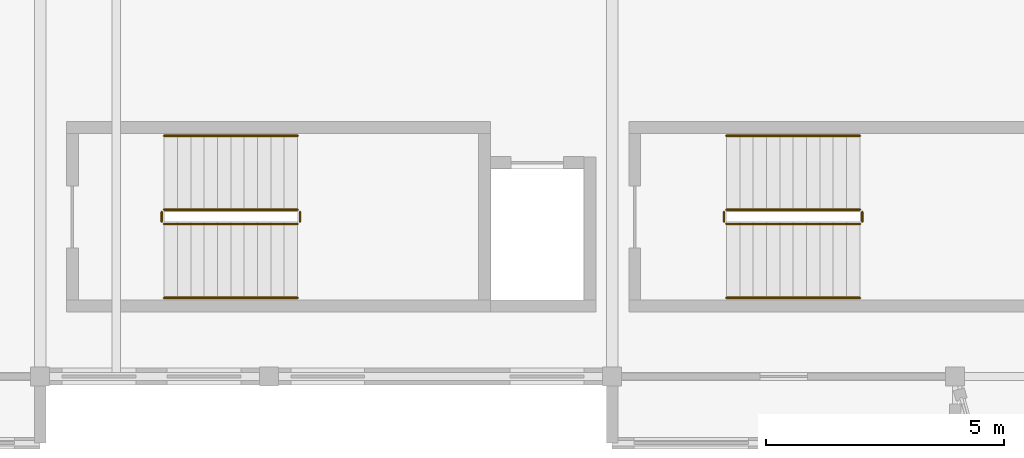
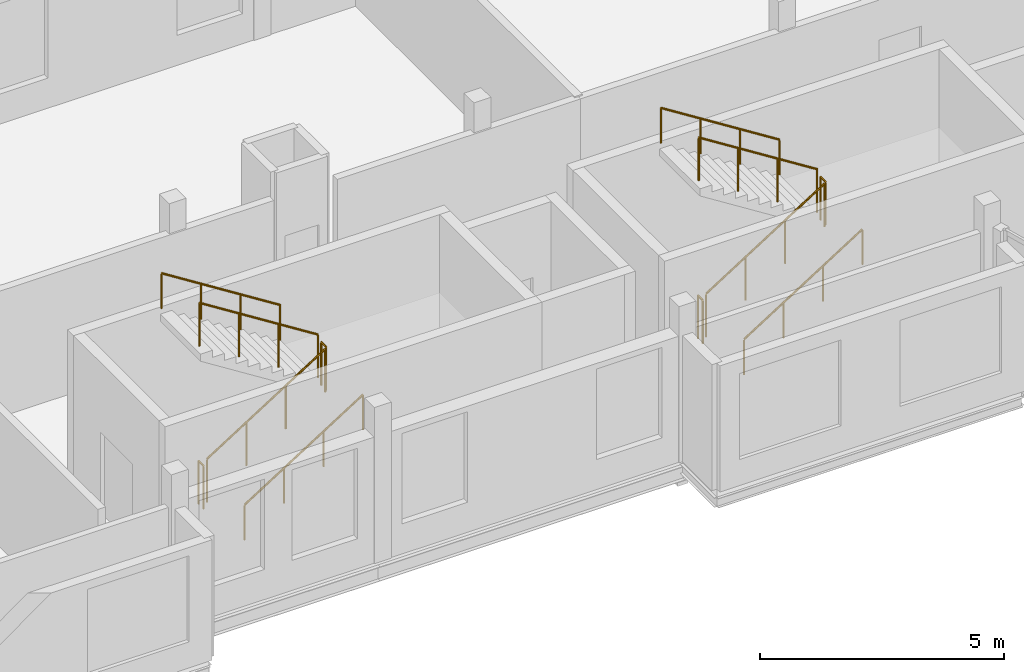
# One storey, part 55 of 57: 12 railings.
"""IFC4 building model written with IfcOpenShell, lengths in metres."""

import ifcopenshell
import ifcopenshell.guid

model = None  # the IFC model being written
_history = None  # IfcOwnerHistory: only IFC2X3 demands one
_inside = {}  # id of a spatial element -> (the spatial element, [elements in it])
_under = {}  # id of a project, library or spatial element -> (it, [spatial elements below it])
_declared = {}  # id of a project -> (the project, [libraries it declares])
_typed = {}  # id of a type object -> (the type object, [elements of that type])
_made_of = {}  # id of a material, layer set ... -> (it, [elements and type objects made of it])


def new_model(schema):
    """Start an empty IFC model of exactly this schema.

    Asked for "IFC4X3", IfcOpenShell would pick the latest addendum, in which some entities
    have other attributes; the version numbers below select the first issue.
    IFC2X3 requires an IfcOwnerHistory on every rooted entity: one is made here for all.
    """
    global model, _history
    if schema == "IFC4X3":
        model = ifcopenshell.file(schema_version=(4, 3, 0, 0))
    else:
        model = ifcopenshell.file(schema=schema)
    _inside.clear()
    _under.clear()
    _declared.clear()
    _typed.clear()
    _made_of.clear()
    _history = None
    if model.schema == "IFC2X3":
        org = make("IfcOrganization", Name="unknown")
        user = make(
            "IfcPersonAndOrganization",
            ThePerson=make("IfcPerson", FamilyName="unknown"),
            TheOrganization=org,
        )
        app = make(
            "IfcApplication",
            ApplicationDeveloper=org,
            Version="unknown",
            ApplicationFullName="unknown",
            ApplicationIdentifier="unknown",
        )
        _history = make(
            "IfcOwnerHistory",
            OwningUser=user,
            OwningApplication=app,
            ChangeAction="ADDED",
            CreationDate=0,
        )
    return model


def make(cls, **values):
    """One entity of the class cls with the attributes given. An attribute that is None is left unset."""
    return model.create_entity(
        cls, **{name: value for name, value in values.items() if value is not None}
    )


def rooted(cls, **values):
    """An entity with a GlobalId (a new one), such as an element, a storey or a relation."""
    return make(cls, GlobalId=ifcopenshell.guid.new(), OwnerHistory=_history, **values)


def si_unit(unit_type, name, prefix=None):
    """IfcSIUnit, for example si_unit("LENGTHUNIT", "METRE", prefix="MILLI")."""
    return make("IfcSIUnit", UnitType=unit_type, Prefix=prefix, Name=name)


def assignment(units):
    """IfcUnitAssignment: the units of a project."""
    return None if units is None else make("IfcUnitAssignment", Units=units)


def point(xyz):
    """IfcCartesianPoint."""
    return None if xyz is None else make("IfcCartesianPoint", Coordinates=xyz)


def direction(xyz):
    """IfcDirection."""
    return None if xyz is None else make("IfcDirection", DirectionRatios=xyz)


def frame(location, z_axis=None, x_axis=None):
    """IfcAxis2Placement3D, a coordinate frame: its origin and axes. An axis left out is left unset."""
    return make(
        "IfcAxis2Placement3D",
        Location=point(location),
        Axis=direction(z_axis),
        RefDirection=direction(x_axis),
    )


def frame_2d(location, x_axis=None):
    """IfcAxis2Placement2D, a coordinate frame in the plane: its origin and x axis."""
    return make(
        "IfcAxis2Placement2D", Location=point(location), RefDirection=direction(x_axis)
    )


def origin():
    """The frame at (0, 0, 0) with its axes left unset."""
    return frame((0.0, 0.0, 0.0))


def origin_2d():
    """The frame at (0, 0) in the plane with its x axis left unset."""
    return frame_2d((0.0, 0.0))


def place(relative_to, where):
    """IfcLocalPlacement: puts the frame where relative to a parent placement (None: the world)."""
    return make(
        "IfcLocalPlacement", PlacementRelTo=relative_to, RelativePlacement=where
    )


def context(
    kind, dimensions, precision=None, world=None, true_north=None, identifier=None
):
    """IfcGeometricRepresentationContext, for example the 3D "Model" context."""
    return make(
        "IfcGeometricRepresentationContext",
        ContextIdentifier=identifier,
        ContextType=kind,
        CoordinateSpaceDimension=dimensions,
        Precision=precision,
        WorldCoordinateSystem=world,
        TrueNorth=true_north,
    )


def subcontext(parent, identifier, kind, view, scale=None):
    """IfcGeometricRepresentationSubContext, for example "Body" below "Model"."""
    return make(
        "IfcGeometricRepresentationSubContext",
        ContextIdentifier=identifier,
        ContextType=kind,
        ParentContext=parent,
        TargetScale=scale,
        TargetView=view,
    )


def project(units=None, contexts=None):
    """IfcProject with its units and contexts."""
    return rooted(
        "IfcProject",
        Name="project",
        RepresentationContexts=contexts,
        UnitsInContext=assignment(units),
    )


def spatial(cls, under=None, at=None, **own):
    """A site, building, storey or space (cls), placed at a placement, below another one or the project."""
    s = rooted(cls, ObjectPlacement=at, **own)
    if under is not None:
        _under.setdefault(under.id(), (under, []))[1].append(s)
    return s


def profile(cls, at=None, kind="AREA", **sizes):
    """A parametric profile (cls). Its sizes go by their IFC names, for example OverallWidth=200.0."""
    return make(cls, ProfileType=kind, Position=at, **sizes)


def circle(**sizes):
    """IfcCircleProfileDef."""
    return profile("IfcCircleProfileDef", **sizes)


def extrude(swept, where, along, depth):
    """IfcExtrudedAreaSolid: the profile swept, set in the frame where, extruded along a direction by depth."""
    return make(
        "IfcExtrudedAreaSolid",
        SweptArea=swept,
        Position=where,
        ExtrudedDirection=direction(along),
        Depth=depth,
    )


def shape(context_of_items, identifier, shape_type, items):
    """IfcShapeRepresentation: the items that make up one representation, for example the "Body"."""
    return make(
        "IfcShapeRepresentation",
        ContextOfItems=context_of_items,
        RepresentationIdentifier=identifier,
        RepresentationType=shape_type,
        Items=items,
    )


def material(Name=None, Category=None):
    """IfcMaterial."""
    return make("IfcMaterial", Name=Name, Category=Category)


def made_of(thing, what):
    """Note that an element or type object is made of a material, layer set ...; save() writes the relation."""
    if what is not None:
        _made_of.setdefault(what.id(), (what, []))[1].append(thing)
    return thing


def type_object(cls, material=None, **own):
    """A type object (cls), such as IfcWallType, which elements share."""
    return made_of(rooted(cls, **own), material)


def element(
    cls,
    number,
    at=None,
    inside=None,
    cuts=None,
    type_object=None,
    material=None,
    context=None,
    identifier="Body",
    shape_type=None,
    held_by="IfcProductDefinitionShape",
    body=None,
    shapes=None,
    **own,
):
    """One element of the class cls, such as IfcWall. Its Tag is "e" and its number.

    at: its placement. inside: the storey or other place that contains it. cuts: it is an
    opening in that element (IfcRelVoidsElement). A single representation is given by context,
    identifier, shape_type and body (its items); several are given by shapes. held_by: the class
    of the entity that holds the representations. save() writes the other relations.
    """
    e = rooted(cls, Tag="e%d" % number, ObjectPlacement=at, **own)
    if body is not None:
        shapes = [shape(context, identifier, shape_type, body)]
    if shapes is not None:
        e.Representation = make(held_by, Representations=shapes)
    if inside is not None:
        _inside.setdefault(inside.id(), (inside, []))[1].append(e)
    if cuts is not None:
        rooted(
            "IfcRelVoidsElement", RelatingBuildingElement=cuts, RelatedOpeningElement=e
        )
    if type_object is not None:
        _typed.setdefault(type_object.id(), (type_object, []))[1].append(e)
    return made_of(e, material)


def aggregate(whole, parts):
    """IfcRelAggregates: a whole, such as a stair, and the parts it consists of."""
    return rooted("IfcRelAggregates", RelatingObject=whole, RelatedObjects=parts)


def save(model, path):
    """Write the relations noted so far, then the file.

    IfcRelAggregates (storeys below a building ...), IfcRelContainedInSpatialStructure (elements
    in a storey), IfcRelDefinesByType, IfcRelAssociatesMaterial and IfcRelDeclares: one each for
    every whole, place, type object, material and project.
    """
    for whole, parts in _under.values():
        aggregate(whole, parts)
    for where, things in _inside.values():
        rooted(
            "IfcRelContainedInSpatialStructure",
            RelatedElements=things,
            RelatingStructure=where,
        )
    for kind, things in _typed.values():
        rooted("IfcRelDefinesByType", RelatedObjects=things, RelatingType=kind)
    for what, things in _made_of.values():
        rooted("IfcRelAssociatesMaterial", RelatedObjects=things, RelatingMaterial=what)
    for by, libraries in _declared.values():
        rooted("IfcRelDeclares", RelatingContext=by, RelatedDefinitions=libraries)
    model.write(path)


model = new_model("IFC4")

# Units and contexts
model_context = context("Model", 3, precision=1e-05, world=origin(), true_north=direction((0.0, 1.0)))
body_context = subcontext(model_context, "Body", "Model", "MODEL_VIEW")
ifc_project = project(units=[si_unit("LENGTHUNIT", "METRE"), si_unit("AREAUNIT", "SQUARE_METRE"), si_unit("VOLUMEUNIT", "CUBIC_METRE"), si_unit("PLANEANGLEUNIT", "RADIAN"), si_unit("MASSUNIT", "GRAM", prefix="KILO")], contexts=[model_context])

# Site, building, storey
site_placement = place(None, origin())
site = spatial("IfcSite", under=ifc_project, at=site_placement, CompositionType="ELEMENT")
building_placement = place(site_placement, origin())
building = spatial("IfcBuilding", under=site, at=building_placement, Name="Kahlenmark Community Centre", CompositionType="ELEMENT")
storey_placement = place(building_placement, frame((0.0, 0.0, 13.800048828125)))
storey = spatial("IfcBuildingStorey", under=building, at=storey_placement, Name="L03", CompositionType="ELEMENT", Elevation=13.800048828125)

# Railings
ifc_material_1 = material(Name="Brushed stainless steel 1.4301 handrail", Category="steel")
railing_type_1 = type_object("IfcRailingType", Name="RLT-HR-900", PredefinedType="HANDRAIL", material=ifc_material_1)
railing_1_placement = place(storey_placement, frame((48.60009765625, 99.25, 0.17724609375)))
element("IfcRailing", 1, at=railing_1_placement, inside=storey, type_object=railing_type_1, Name="L03 ST-04 stair handrail 1", PredefinedType="HANDRAIL", context=body_context, shape_type="SweptSolid", body=[
    extrude(circle(Radius=0.02392578125, at=origin_2d()), frame((0.0, 0.0, 0.8759765625), z_axis=(0.844887892834, 0.0, 0.53494340686), x_axis=(0.0, 1.0, 0.0)), (0.0, 0.0, 1.0), 3.313720703125),
    extrude(circle(Radius=0.02099609375, at=origin_2d()), origin(), (0.0, 0.0, 1.0), 0.851806640625),
    extrude(circle(Radius=0.02099609375, at=origin_2d()), frame((0.933349609375, 0.0, 0.5908203125)), (0.0, 0.0, 1.0), 0.851806640625),
    extrude(circle(Radius=0.02099609375, at=origin_2d()), frame((1.866455078125, 0.0, 1.181884765625)), (0.0, 0.0, 1.0), 0.851806640625),
    extrude(circle(Radius=0.02099609375, at=origin_2d()), frame((2.7998046875, 0.0, 1.772705078125)), (0.0, 0.0, 1.0), 0.851806640625),
])
railing_2_placement = place(storey_placement, frame((51.39990234375, 102.64990234375, 2.127197265625)))
element("IfcRailing", 2, at=railing_2_placement, inside=storey, type_object=railing_type_1, Name="L03 ST-04 stair handrail 2", PredefinedType="HANDRAIL", context=body_context, shape_type="SweptSolid", body=[
    extrude(circle(Radius=0.02392578125, at=origin_2d()), frame((0.0, 0.0, 0.8759765625), z_axis=(-0.844887892834, 0.0, 0.53494340686), x_axis=(0.0, -1.0, 0.0)), (0.0, 0.0, 1.0), 3.313720703125),
    extrude(circle(Radius=0.02099609375, at=origin_2d()), origin(), (0.0, 0.0, 1.0), 0.851806640625),
    extrude(circle(Radius=0.02099609375, at=origin_2d()), frame((-0.933349609375, 0.0, 0.5908203125)), (0.0, 0.0, 1.0), 0.851806640625),
    extrude(circle(Radius=0.02099609375, at=origin_2d()), frame((-1.866455078125, 0.0, 1.181884765625)), (0.0, 0.0, 1.0), 0.851806640625),
    extrude(circle(Radius=0.02099609375, at=origin_2d()), frame((-2.7998046875, 0.0, 1.772705078125)), (0.0, 0.0, 1.0), 0.851806640625),
])
railing_3_placement = place(storey_placement, frame((60.39990234375, 99.25, 0.17724609375)))
element("IfcRailing", 3, at=railing_3_placement, inside=storey, type_object=railing_type_1, Name="L03 ST-05 stair handrail 1", PredefinedType="HANDRAIL", context=body_context, shape_type="SweptSolid", body=[
    extrude(circle(Radius=0.02392578125, at=origin_2d()), frame((0.0, 0.0, 0.8759765625), z_axis=(0.844908973607, 0.0, 0.534910110503), x_axis=(0.0, 1.0, 0.0)), (0.0, 0.0, 1.0), 3.31396484375),
    extrude(circle(Radius=0.02099609375, at=origin_2d()), origin(), (0.0, 0.0, 1.0), 0.851806640625),
    extrude(circle(Radius=0.02099609375, at=origin_2d()), frame((0.933349609375, 0.0, 0.5908203125)), (0.0, 0.0, 1.0), 0.851806640625),
    extrude(circle(Radius=0.02099609375, at=origin_2d()), frame((1.86669921875, 0.0, 1.181884765625)), (0.0, 0.0, 1.0), 0.851806640625),
    extrude(circle(Radius=0.02099609375, at=origin_2d()), frame((2.800048828125, 0.0, 1.772705078125)), (0.0, 0.0, 1.0), 0.851806640625),
])
railing_4_placement = place(storey_placement, frame((63.199951171875, 102.64990234375, 2.127197265625)))
element("IfcRailing", 4, at=railing_4_placement, inside=storey, type_object=railing_type_1, Name="L03 ST-05 stair handrail 2", PredefinedType="HANDRAIL", context=body_context, shape_type="SweptSolid", body=[
    extrude(circle(Radius=0.02392578125, at=origin_2d()), frame((0.0, 0.0, 0.8759765625), z_axis=(-0.844908973607, 0.0, 0.534910110503), x_axis=(0.0, -1.0, 0.0)), (0.0, 0.0, 1.0), 3.31396484375),
    extrude(circle(Radius=0.02099609375, at=origin_2d()), origin(), (0.0, 0.0, 1.0), 0.851806640625),
    extrude(circle(Radius=0.02099609375, at=origin_2d()), frame((-0.933349609375, 0.0, 0.5908203125)), (0.0, 0.0, 1.0), 0.851806640625),
    extrude(circle(Radius=0.02099609375, at=origin_2d()), frame((-1.86669921875, 0.0, 1.181884765625)), (0.0, 0.0, 1.0), 0.851806640625),
    extrude(circle(Radius=0.02099609375, at=origin_2d()), frame((-2.800048828125, 0.0, 1.772705078125)), (0.0, 0.0, 1.0), 0.851806640625),
])
ifc_material_2 = material(Name="Powder-coated steel stair well guard", Category="steel")
railing_type_2 = type_object("IfcRailingType", Name="RLT-SG-1120", PredefinedType="GUARDRAIL", material=ifc_material_2)
railing_5_placement = place(storey_placement, frame((48.60009765625, 100.800048828125, 0.17724609375)))
element("IfcRailing", 5, at=railing_5_placement, inside=storey, type_object=railing_type_2, Name="L03 ST-04 stair guard 1", PredefinedType="GUARDRAIL", context=body_context, shape_type="SweptSolid", body=[
    extrude(circle(Radius=0.02392578125, at=origin_2d()), frame((0.0, 0.0, 1.076171875), z_axis=(0.844887892834, 0.0, 0.53494340686), x_axis=(0.0, 1.0, 0.0)), (0.0, 0.0, 1.0), 3.313720703125),
    extrude(circle(Radius=0.02099609375, at=origin_2d()), origin(), (0.0, 0.0, 1.0), 1.052001953125),
    extrude(circle(Radius=0.02099609375, at=origin_2d()), frame((0.933349609375, 0.0, 0.5908203125)), (0.0, 0.0, 1.0), 1.052001953125),
    extrude(circle(Radius=0.02099609375, at=origin_2d()), frame((1.866455078125, 0.0, 1.181884765625)), (0.0, 0.0, 1.0), 1.052001953125),
    extrude(circle(Radius=0.02099609375, at=origin_2d()), frame((2.7998046875, 0.0, 1.772705078125)), (0.0, 0.0, 1.0), 1.052001953125),
])
railing_6_placement = place(storey_placement, frame((51.449951171875, 100.85009765625, 1.949951171875)))
element("IfcRailing", 6, at=railing_6_placement, inside=storey, type_object=railing_type_2, Name="L03 ST-04 stair guard 2", PredefinedType="GUARDRAIL", context=body_context, shape_type="SweptSolid", body=[
    extrude(circle(Radius=0.02392578125, at=origin_2d()), frame((0.0, 0.0, 1.076171875), z_axis=(0.0, 1.0, 0.0), x_axis=(-1.0, 0.0, 0.0)), (0.0, 0.0, 1.0), 0.199951171875),
    extrude(circle(Radius=0.02099609375, at=origin_2d()), origin(), (0.0, 0.0, 1.0), 1.052001953125),
    extrude(circle(Radius=0.02099609375, at=origin_2d()), frame((0.0, 0.199951171875, 0.0)), (0.0, 0.0, 1.0), 1.052001953125),
])
railing_7_placement = place(storey_placement, frame((51.39990234375, 101.10009765625, 2.127197265625)))
element("IfcRailing", 7, at=railing_7_placement, inside=storey, type_object=railing_type_2, Name="L03 ST-04 stair guard 3", PredefinedType="GUARDRAIL", context=body_context, shape_type="SweptSolid", body=[
    extrude(circle(Radius=0.02392578125, at=origin_2d()), frame((0.0, 0.0, 1.076171875), z_axis=(-0.844887892834, 0.0, 0.53494340686), x_axis=(0.0, -1.0, 0.0)), (0.0, 0.0, 1.0), 3.313720703125),
    extrude(circle(Radius=0.02099609375, at=origin_2d()), origin(), (0.0, 0.0, 1.0), 1.052001953125),
    extrude(circle(Radius=0.02099609375, at=origin_2d()), frame((-0.933349609375, 0.0, 0.5908203125)), (0.0, 0.0, 1.0), 1.052001953125),
    extrude(circle(Radius=0.02099609375, at=origin_2d()), frame((-1.866455078125, 0.0, 1.181884765625)), (0.0, 0.0, 1.0), 1.052001953125),
    extrude(circle(Radius=0.02099609375, at=origin_2d()), frame((-2.7998046875, 0.0, 1.772705078125)), (0.0, 0.0, 1.0), 1.052001953125),
])
railing_8_placement = place(storey_placement, frame((48.550048828125, 100.85009765625, 0.0)))
element("IfcRailing", 8, at=railing_8_placement, inside=storey, type_object=railing_type_2, Name="L03 ST-04 stair guard 4", PredefinedType="GUARDRAIL", context=body_context, shape_type="SweptSolid", body=[
    extrude(circle(Radius=0.02392578125, at=origin_2d()), frame((0.0, 0.0, 1.076171875), z_axis=(0.0, 1.0, 0.0), x_axis=(-1.0, 0.0, 0.0)), (0.0, 0.0, 1.0), 0.199951171875),
    extrude(circle(Radius=0.02099609375, at=origin_2d()), origin(), (0.0, 0.0, 1.0), 1.052001953125),
    extrude(circle(Radius=0.02099609375, at=origin_2d()), frame((0.0, 0.199951171875, 0.0)), (0.0, 0.0, 1.0), 1.052001953125),
])
railing_9_placement = place(storey_placement, frame((60.39990234375, 100.800048828125, 0.17724609375)))
element("IfcRailing", 9, at=railing_9_placement, inside=storey, type_object=railing_type_2, Name="L03 ST-05 stair guard 1", PredefinedType="GUARDRAIL", context=body_context, shape_type="SweptSolid", body=[
    extrude(circle(Radius=0.02392578125, at=origin_2d()), frame((0.0, 0.0, 1.076171875), z_axis=(0.844908973607, 0.0, 0.534910110503), x_axis=(0.0, 1.0, 0.0)), (0.0, 0.0, 1.0), 3.31396484375),
    extrude(circle(Radius=0.02099609375, at=origin_2d()), origin(), (0.0, 0.0, 1.0), 1.052001953125),
    extrude(circle(Radius=0.02099609375, at=origin_2d()), frame((0.933349609375, 0.0, 0.5908203125)), (0.0, 0.0, 1.0), 1.052001953125),
    extrude(circle(Radius=0.02099609375, at=origin_2d()), frame((1.86669921875, 0.0, 1.181884765625)), (0.0, 0.0, 1.0), 1.052001953125),
    extrude(circle(Radius=0.02099609375, at=origin_2d()), frame((2.800048828125, 0.0, 1.772705078125)), (0.0, 0.0, 1.0), 1.052001953125),
])
railing_10_placement = place(storey_placement, frame((63.25, 100.85009765625, 1.949951171875)))
element("IfcRailing", 10, at=railing_10_placement, inside=storey, type_object=railing_type_2, Name="L03 ST-05 stair guard 2", PredefinedType="GUARDRAIL", context=body_context, shape_type="SweptSolid", body=[
    extrude(circle(Radius=0.02392578125, at=origin_2d()), frame((0.0, 0.0, 1.076171875), z_axis=(0.0, 1.0, 0.0), x_axis=(-1.0, 0.0, 0.0)), (0.0, 0.0, 1.0), 0.199951171875),
    extrude(circle(Radius=0.02099609375, at=origin_2d()), origin(), (0.0, 0.0, 1.0), 1.052001953125),
    extrude(circle(Radius=0.02099609375, at=origin_2d()), frame((0.0, 0.199951171875, 0.0)), (0.0, 0.0, 1.0), 1.052001953125),
])
railing_11_placement = place(storey_placement, frame((63.199951171875, 101.10009765625, 2.127197265625)))
element("IfcRailing", 11, at=railing_11_placement, inside=storey, type_object=railing_type_2, Name="L03 ST-05 stair guard 3", PredefinedType="GUARDRAIL", context=body_context, shape_type="SweptSolid", body=[
    extrude(circle(Radius=0.02392578125, at=origin_2d()), frame((0.0, 0.0, 1.076171875), z_axis=(-0.844908973607, 0.0, 0.534910110503), x_axis=(0.0, -1.0, 0.0)), (0.0, 0.0, 1.0), 3.31396484375),
    extrude(circle(Radius=0.02099609375, at=origin_2d()), origin(), (0.0, 0.0, 1.0), 1.052001953125),
    extrude(circle(Radius=0.02099609375, at=origin_2d()), frame((-0.933349609375, 0.0, 0.5908203125)), (0.0, 0.0, 1.0), 1.052001953125),
    extrude(circle(Radius=0.02099609375, at=origin_2d()), frame((-1.86669921875, 0.0, 1.181884765625)), (0.0, 0.0, 1.0), 1.052001953125),
    extrude(circle(Radius=0.02099609375, at=origin_2d()), frame((-2.800048828125, 0.0, 1.772705078125)), (0.0, 0.0, 1.0), 1.052001953125),
])
railing_12_placement = place(storey_placement, frame((60.35009765625, 100.85009765625, 0.0)))
element("IfcRailing", 12, at=railing_12_placement, inside=storey, type_object=railing_type_2, Name="L03 ST-05 stair guard 4", PredefinedType="GUARDRAIL", context=body_context, shape_type="SweptSolid", body=[
    extrude(circle(Radius=0.02392578125, at=origin_2d()), frame((0.0, 0.0, 1.076171875), z_axis=(0.0, 1.0, 0.0), x_axis=(-1.0, 0.0, 0.0)), (0.0, 0.0, 1.0), 0.199951171875),
    extrude(circle(Radius=0.02099609375, at=origin_2d()), origin(), (0.0, 0.0, 1.0), 1.052001953125),
    extrude(circle(Radius=0.02099609375, at=origin_2d()), frame((0.0, 0.199951171875, 0.0)), (0.0, 0.0, 1.0), 1.052001953125),
])

save(model, "model.ifc")
